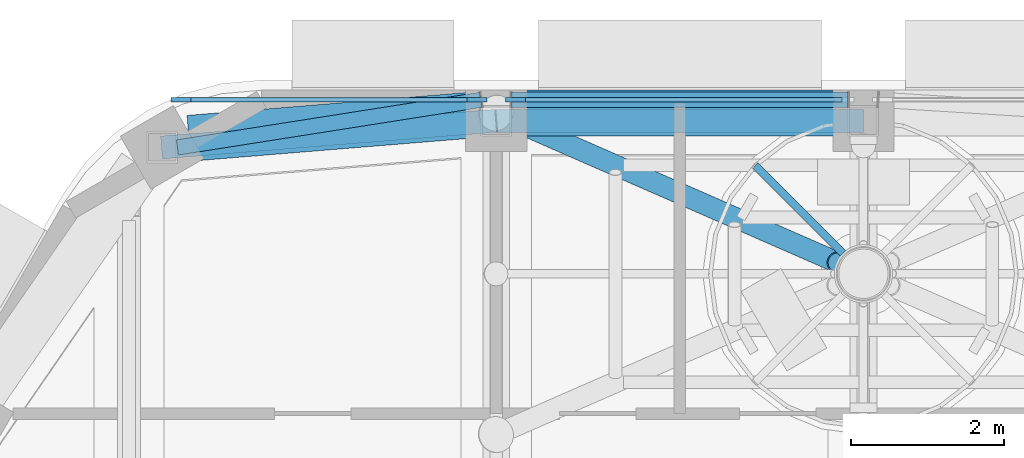
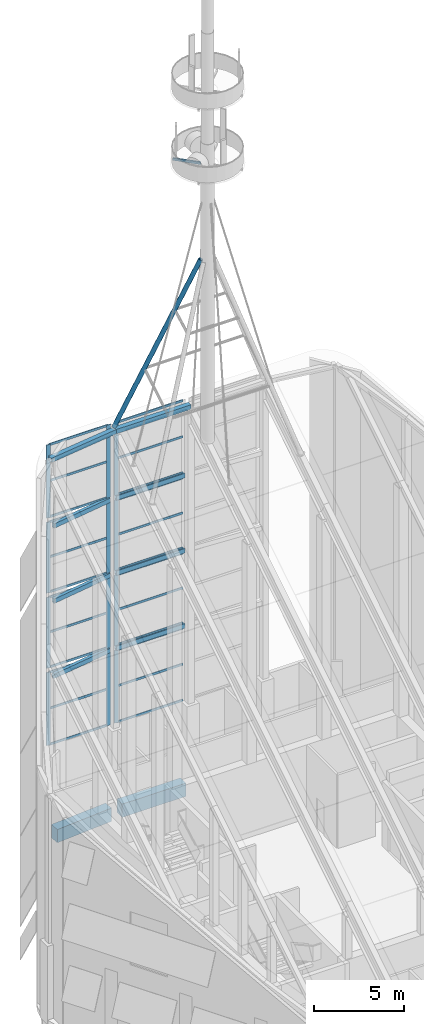
# One storey, part 4 of 25: 40 members, 8 beams, 8 elements without a shape of their own.
"""IFC4 building model written with IfcOpenShell, lengths in metres."""

from ifc_helpers import new_model, si_unit, direction, frame, origin, origin_2d, place, context, subcontext, project, spatial, rectangle, hollow_rectangle, hollow_circle, extrude, material, material_profile, profile_set, type_object, element, aggregate, save


model = new_model("IFC4")

# Units and contexts
model_context = context("Model", 3, precision=1e-05, world=origin(), true_north=direction((0.0, 1.0)))
body_context = subcontext(model_context, "Body", "Model", "MODEL_VIEW")
ifc_project = project(units=[si_unit("LENGTHUNIT", "METRE"), si_unit("AREAUNIT", "SQUARE_METRE"), si_unit("VOLUMEUNIT", "CUBIC_METRE"), si_unit("PLANEANGLEUNIT", "RADIAN"), si_unit("MASSUNIT", "GRAM", prefix="KILO")], contexts=[model_context])

# Site, building, storey
site_placement = place(None, origin())
site = spatial("IfcSite", under=ifc_project, at=site_placement, CompositionType="ELEMENT")
building_placement = place(site_placement, origin())
building = spatial("IfcBuilding", under=site, at=building_placement, Name="Kolab Exchange Tower", CompositionType="ELEMENT")
storey_placement = place(building_placement, frame((0.0, 0.0, 301.89990234375)))
storey = spatial("IfcBuildingStorey", under=building, at=storey_placement, Name="L68", CompositionType="ELEMENT", Elevation=301.89990234375)

# Curtain wall, members
ifc_material_1 = material(Name="Aluminium EN AW-6063 T6", Category="aluminium")
curtain_wall_type = type_object("IfcCurtainWallType", Name="CROWN GLAZING CURTAIN WALL", PredefinedType="NOTDEFINED", material=ifc_material_1)
curtain_wall_1_placement = place(storey_placement, origin())
curtain_wall_1 = element("IfcCurtainWall", 1, at=curtain_wall_1_placement, inside=storey, type_object=curtain_wall_type, Name="cw/L68/crown-F1-1-1", PredefinedType="NOTDEFINED")
ifc_material_profile_1 = material_profile(ifc_material_1, rectangle(XDim=0.06005859375, YDim=0.260009765625, at=origin_2d()), Name="RECT 60X260")
ifc_profile_set_1 = profile_set([ifc_material_profile_1], Name="Aluminium EN AW-6063 T6")
member_type_1 = type_object("IfcMemberType", Name="CROWN GLAZING MULLION 60 X 260", PredefinedType="MULLION", material=ifc_profile_set_1)
member_1_placement = place(storey_placement, frame((-8.91796875, 16.502685546875, 5.0), z_axis=(0.0, 0.0, 1.0), x_axis=(0.0, 1.0, 0.0)))
member_1 = element("IfcMember", 2, at=member_1_placement, type_object=member_type_1, Name="CW7 mullion 1", PredefinedType="MULLION", context=body_context, shape_type="SweptSolid", body=[
    extrude(rectangle(XDim=0.06005859375, YDim=0.260009765625, at=origin_2d()), origin(), (0.0, 0.0, 1.0), 4.951904296875),
])
member_2_placement = place(storey_placement, frame((-5.050048828125, 16.502685546875, 5.0), z_axis=(0.0, 0.0, 1.0), x_axis=(0.0, 1.0, 0.0)))
member_2 = element("IfcMember", 3, at=member_2_placement, type_object=member_type_1, Name="CW7 mullion 2", PredefinedType="MULLION", context=body_context, shape_type="SweptSolid", body=[
    extrude(rectangle(XDim=0.06005859375, YDim=0.260009765625, at=origin_2d()), origin(), (0.0, 0.0, 1.0), 4.951904296875),
])

curtain_wall_2_placement = place(storey_placement, origin())
curtain_wall_2 = element("IfcCurtainWall", 4, at=curtain_wall_2_placement, inside=storey, type_object=curtain_wall_type, Name="cw/L68/crown-F1-1-2", PredefinedType="NOTDEFINED")
member_3_placement = place(storey_placement, frame((-8.91796875, 16.502685546875, 10.251953125), z_axis=(0.0, 0.0, 1.0), x_axis=(0.0, 1.0, 0.0)))
member_3 = element("IfcMember", 5, at=member_3_placement, type_object=member_type_1, Name="CW7 mullion 1", PredefinedType="MULLION", context=body_context, shape_type="SweptSolid", body=[
    extrude(rectangle(XDim=0.06005859375, YDim=0.260009765625, at=origin_2d()), origin(), (0.0, 0.0, 1.0), 4.8017578125),
])
member_4_placement = place(storey_placement, frame((-5.050048828125, 16.502685546875, 10.251953125), z_axis=(0.0, 0.0, 1.0), x_axis=(0.0, 1.0, 0.0)))
member_4 = element("IfcMember", 6, at=member_4_placement, type_object=member_type_1, Name="CW7 mullion 2", PredefinedType="MULLION", context=body_context, shape_type="SweptSolid", body=[
    extrude(rectangle(XDim=0.06005859375, YDim=0.260009765625, at=origin_2d()), origin(), (0.0, 0.0, 1.0), 4.8017578125),
])

curtain_wall_3_placement = place(storey_placement, origin())
curtain_wall_3 = element("IfcCurtainWall", 7, at=curtain_wall_3_placement, inside=storey, type_object=curtain_wall_type, Name="cw/L68/crown-F1-1-3", PredefinedType="NOTDEFINED")
member_5_placement = place(storey_placement, frame((-8.91796875, 16.502685546875, 15.353759765625), z_axis=(0.0, 0.0, 1.0), x_axis=(0.0, 1.0, 0.0)))
member_5 = element("IfcMember", 8, at=member_5_placement, type_object=member_type_1, Name="CW7 mullion 1", PredefinedType="MULLION", context=body_context, shape_type="SweptSolid", body=[
    extrude(rectangle(XDim=0.06005859375, YDim=0.260009765625, at=origin_2d()), origin(), (0.0, 0.0, 1.0), 4.8017578125),
])
member_6_placement = place(storey_placement, frame((-5.050048828125, 16.502685546875, 15.353759765625), z_axis=(0.0, 0.0, 1.0), x_axis=(0.0, 1.0, 0.0)))
member_6 = element("IfcMember", 9, at=member_6_placement, type_object=member_type_1, Name="CW7 mullion 2", PredefinedType="MULLION", context=body_context, shape_type="SweptSolid", body=[
    extrude(rectangle(XDim=0.06005859375, YDim=0.260009765625, at=origin_2d()), origin(), (0.0, 0.0, 1.0), 4.8017578125),
])

curtain_wall_4_placement = place(storey_placement, origin())
curtain_wall_4 = element("IfcCurtainWall", 10, at=curtain_wall_4_placement, inside=storey, type_object=curtain_wall_type, Name="cw/L68/crown-F1-1-4", PredefinedType="NOTDEFINED")
member_7_placement = place(storey_placement, frame((-8.91796875, 16.502685546875, 20.45556640625), z_axis=(0.0, 0.0, 1.0), x_axis=(0.0, 1.0, 0.0)))
member_7 = element("IfcMember", 11, at=member_7_placement, type_object=member_type_1, Name="CW7 mullion 1", PredefinedType="MULLION", context=body_context, shape_type="SweptSolid", body=[
    extrude(rectangle(XDim=0.06005859375, YDim=0.260009765625, at=origin_2d()), origin(), (0.0, 0.0, 1.0), 4.951904296875),
])
member_8_placement = place(storey_placement, frame((-5.050048828125, 16.502685546875, 20.45556640625), z_axis=(0.0, 0.0, 1.0), x_axis=(0.0, 1.0, 0.0)))
member_8 = element("IfcMember", 12, at=member_8_placement, type_object=member_type_1, Name="CW7 mullion 2", PredefinedType="MULLION", context=body_context, shape_type="SweptSolid", body=[
    extrude(rectangle(XDim=0.06005859375, YDim=0.260009765625, at=origin_2d()), origin(), (0.0, 0.0, 1.0), 4.951904296875),
])

# Curtain wall, member
curtain_wall_5_placement = place(storey_placement, origin())
curtain_wall_5 = element("IfcCurtainWall", 13, at=curtain_wall_5_placement, inside=storey, type_object=curtain_wall_type, Name="cw/L68/crown-F1-2-1", PredefinedType="NOTDEFINED")
member_9_placement = place(storey_placement, frame((-4.550048828125, 16.502685546875, 5.0), z_axis=(0.0, 0.0, 1.0), x_axis=(0.0, 1.0, 0.0)))
member_9 = element("IfcMember", 14, at=member_9_placement, type_object=member_type_1, Name="CW7 mullion 1", PredefinedType="MULLION", context=body_context, shape_type="SweptSolid", body=[
    extrude(rectangle(XDim=0.06005859375, YDim=0.260009765625, at=origin_2d()), origin(), (0.0, 0.0, 1.0), 4.951904296875),
])

curtain_wall_6_placement = place(storey_placement, origin())
curtain_wall_6 = element("IfcCurtainWall", 15, at=curtain_wall_6_placement, inside=storey, type_object=curtain_wall_type, Name="cw/L68/crown-F1-2-2", PredefinedType="NOTDEFINED")
member_10_placement = place(storey_placement, frame((-4.550048828125, 16.502685546875, 10.251953125), z_axis=(0.0, 0.0, 1.0), x_axis=(0.0, 1.0, 0.0)))
member_10 = element("IfcMember", 16, at=member_10_placement, type_object=member_type_1, Name="CW7 mullion 1", PredefinedType="MULLION", context=body_context, shape_type="SweptSolid", body=[
    extrude(rectangle(XDim=0.06005859375, YDim=0.260009765625, at=origin_2d()), origin(), (0.0, 0.0, 1.0), 4.8017578125),
])

curtain_wall_7_placement = place(storey_placement, origin())
curtain_wall_7 = element("IfcCurtainWall", 17, at=curtain_wall_7_placement, inside=storey, type_object=curtain_wall_type, Name="cw/L68/crown-F1-2-3", PredefinedType="NOTDEFINED")
member_11_placement = place(storey_placement, frame((-4.550048828125, 16.502685546875, 15.353759765625), z_axis=(0.0, 0.0, 1.0), x_axis=(0.0, 1.0, 0.0)))
member_11 = element("IfcMember", 18, at=member_11_placement, type_object=member_type_1, Name="CW7 mullion 1", PredefinedType="MULLION", context=body_context, shape_type="SweptSolid", body=[
    extrude(rectangle(XDim=0.06005859375, YDim=0.260009765625, at=origin_2d()), origin(), (0.0, 0.0, 1.0), 4.8017578125),
])

curtain_wall_8_placement = place(storey_placement, origin())
curtain_wall_8 = element("IfcCurtainWall", 19, at=curtain_wall_8_placement, inside=storey, type_object=curtain_wall_type, Name="cw/L68/crown-F1-2-4", PredefinedType="NOTDEFINED")
member_12_placement = place(storey_placement, frame((-4.550048828125, 16.502685546875, 20.45556640625), z_axis=(0.0, 0.0, 1.0), x_axis=(0.0, 1.0, 0.0)))
member_12 = element("IfcMember", 20, at=member_12_placement, type_object=member_type_1, Name="CW7 mullion 1", PredefinedType="MULLION", context=body_context, shape_type="SweptSolid", body=[
    extrude(rectangle(XDim=0.06005859375, YDim=0.260009765625, at=origin_2d()), origin(), (0.0, 0.0, 1.0), 4.951904296875),
])

# Member
ifc_material_profile_2 = material_profile(ifc_material_1, rectangle(XDim=0.06005859375, YDim=0.14990234375, at=origin_2d()), Name="RECT 60X150")
ifc_profile_set_2 = profile_set([ifc_material_profile_2], Name="Aluminium EN AW-6063 T6")
member_type_2 = type_object("IfcMemberType", Name="CROWN GLAZING TRANSOM 60 X 150", PredefinedType="USERDEFINED", material=ifc_profile_set_2)
member_13_placement = place(storey_placement, frame((-8.887939453125, 16.502685546875, 5.030029296875), z_axis=(1.0, 0.0, 0.0), x_axis=(0.0, 1.0, 0.0)))
member_13 = element("IfcMember", 21, at=member_13_placement, type_object=member_type_2, Name="CW7 transom 1.1", ObjectType="TRANSOM", PredefinedType="USERDEFINED", context=body_context, shape_type="SweptSolid", body=[
    extrude(rectangle(XDim=0.06005859375, YDim=0.14990234375, at=origin_2d()), origin(), (0.0, 0.0, 1.0), 3.807861328125),
])

member_14_placement = place(storey_placement, frame((-8.887939453125, 16.502685546875, 7.47607421875), z_axis=(1.0, 0.0, 0.0), x_axis=(0.0, 1.0, 0.0)))
member_14 = element("IfcMember", 22, at=member_14_placement, type_object=member_type_2, Name="CW7 transom 1.2", ObjectType="TRANSOM", PredefinedType="USERDEFINED", context=body_context, shape_type="SweptSolid", body=[
    extrude(rectangle(XDim=0.06005859375, YDim=0.14990234375, at=origin_2d()), origin(), (0.0, 0.0, 1.0), 3.807861328125),
])

member_15_placement = place(storey_placement, frame((-8.887939453125, 16.502685546875, 9.921875), z_axis=(1.0, 0.0, 0.0), x_axis=(0.0, 1.0, 0.0)))
member_15 = element("IfcMember", 23, at=member_15_placement, type_object=member_type_2, Name="CW7 transom 1.3", ObjectType="TRANSOM", PredefinedType="USERDEFINED", context=body_context, shape_type="SweptSolid", body=[
    extrude(rectangle(XDim=0.06005859375, YDim=0.14990234375, at=origin_2d()), origin(), (0.0, 0.0, 1.0), 3.807861328125),
])

aggregate(curtain_wall_1, [member_1, member_2, member_13, member_14, member_15])

member_16_placement = place(storey_placement, frame((-8.887939453125, 16.502685546875, 10.281982421875), z_axis=(1.0, 0.0, 0.0), x_axis=(0.0, 1.0, 0.0)))
member_16 = element("IfcMember", 24, at=member_16_placement, type_object=member_type_2, Name="CW7 transom 1.1", ObjectType="TRANSOM", PredefinedType="USERDEFINED", context=body_context, shape_type="SweptSolid", body=[
    extrude(rectangle(XDim=0.06005859375, YDim=0.14990234375, at=origin_2d()), origin(), (0.0, 0.0, 1.0), 3.807861328125),
])

member_17_placement = place(storey_placement, frame((-8.887939453125, 16.502685546875, 12.65283203125), z_axis=(1.0, 0.0, 0.0), x_axis=(0.0, 1.0, 0.0)))
member_17 = element("IfcMember", 25, at=member_17_placement, type_object=member_type_2, Name="CW7 transom 1.2", ObjectType="TRANSOM", PredefinedType="USERDEFINED", context=body_context, shape_type="SweptSolid", body=[
    extrude(rectangle(XDim=0.06005859375, YDim=0.14990234375, at=origin_2d()), origin(), (0.0, 0.0, 1.0), 3.807861328125),
])

member_18_placement = place(storey_placement, frame((-8.887939453125, 16.502685546875, 15.023681640625), z_axis=(1.0, 0.0, 0.0), x_axis=(0.0, 1.0, 0.0)))
member_18 = element("IfcMember", 26, at=member_18_placement, type_object=member_type_2, Name="CW7 transom 1.3", ObjectType="TRANSOM", PredefinedType="USERDEFINED", context=body_context, shape_type="SweptSolid", body=[
    extrude(rectangle(XDim=0.06005859375, YDim=0.14990234375, at=origin_2d()), origin(), (0.0, 0.0, 1.0), 3.807861328125),
])

aggregate(curtain_wall_2, [member_3, member_4, member_16, member_17, member_18])

member_19_placement = place(storey_placement, frame((-8.887939453125, 16.502685546875, 15.3837890625), z_axis=(1.0, 0.0, 0.0), x_axis=(0.0, 1.0, 0.0)))
member_19 = element("IfcMember", 27, at=member_19_placement, type_object=member_type_2, Name="CW7 transom 1.1", ObjectType="TRANSOM", PredefinedType="USERDEFINED", context=body_context, shape_type="SweptSolid", body=[
    extrude(rectangle(XDim=0.06005859375, YDim=0.14990234375, at=origin_2d()), origin(), (0.0, 0.0, 1.0), 3.807861328125),
])

member_20_placement = place(storey_placement, frame((-8.887939453125, 16.502685546875, 17.754638671875), z_axis=(1.0, 0.0, 0.0), x_axis=(0.0, 1.0, 0.0)))
member_20 = element("IfcMember", 28, at=member_20_placement, type_object=member_type_2, Name="CW7 transom 1.2", ObjectType="TRANSOM", PredefinedType="USERDEFINED", context=body_context, shape_type="SweptSolid", body=[
    extrude(rectangle(XDim=0.06005859375, YDim=0.14990234375, at=origin_2d()), origin(), (0.0, 0.0, 1.0), 3.807861328125),
])

member_21_placement = place(storey_placement, frame((-8.887939453125, 16.502685546875, 20.125732421875), z_axis=(1.0, 0.0, 0.0), x_axis=(0.0, 1.0, 0.0)))
member_21 = element("IfcMember", 29, at=member_21_placement, type_object=member_type_2, Name="CW7 transom 1.3", ObjectType="TRANSOM", PredefinedType="USERDEFINED", context=body_context, shape_type="SweptSolid", body=[
    extrude(rectangle(XDim=0.06005859375, YDim=0.14990234375, at=origin_2d()), origin(), (0.0, 0.0, 1.0), 3.807861328125),
])

aggregate(curtain_wall_3, [member_5, member_6, member_19, member_20, member_21])

member_22_placement = place(storey_placement, frame((-8.887939453125, 16.502685546875, 20.485595703125), z_axis=(1.0, 0.0, 0.0), x_axis=(0.0, 1.0, 0.0)))
member_22 = element("IfcMember", 30, at=member_22_placement, type_object=member_type_2, Name="CW7 transom 1.1", ObjectType="TRANSOM", PredefinedType="USERDEFINED", context=body_context, shape_type="SweptSolid", body=[
    extrude(rectangle(XDim=0.06005859375, YDim=0.14990234375, at=origin_2d()), origin(), (0.0, 0.0, 1.0), 3.807861328125),
])

member_23_placement = place(storey_placement, frame((-8.887939453125, 16.502685546875, 22.931640625), z_axis=(1.0, 0.0, 0.0), x_axis=(0.0, 1.0, 0.0)))
member_23 = element("IfcMember", 31, at=member_23_placement, type_object=member_type_2, Name="CW7 transom 1.2", ObjectType="TRANSOM", PredefinedType="USERDEFINED", context=body_context, shape_type="SweptSolid", body=[
    extrude(rectangle(XDim=0.06005859375, YDim=0.14990234375, at=origin_2d()), origin(), (0.0, 0.0, 1.0), 3.807861328125),
])

member_24_placement = place(storey_placement, frame((-8.887939453125, 16.502685546875, 25.37744140625), z_axis=(1.0, 0.0, 0.0), x_axis=(0.0, 1.0, 0.0)))
member_24 = element("IfcMember", 32, at=member_24_placement, type_object=member_type_2, Name="CW7 transom 1.3", ObjectType="TRANSOM", PredefinedType="USERDEFINED", context=body_context, shape_type="SweptSolid", body=[
    extrude(rectangle(XDim=0.06005859375, YDim=0.14990234375, at=origin_2d()), origin(), (0.0, 0.0, 1.0), 3.807861328125),
])

aggregate(curtain_wall_4, [member_7, member_8, member_22, member_23, member_24])

member_25_placement = place(storey_placement, frame((-4.52001953125, 16.502685546875, 5.030029296875), z_axis=(1.0, 0.0, 0.0), x_axis=(0.0, 1.0, 0.0)))
member_25 = element("IfcMember", 33, at=member_25_placement, type_object=member_type_2, Name="CW7 transom 1.1", ObjectType="TRANSOM", PredefinedType="USERDEFINED", context=body_context, shape_type="SweptSolid", body=[
    extrude(rectangle(XDim=0.06005859375, YDim=0.14990234375, at=origin_2d()), origin(), (0.0, 0.0, 1.0), 4.239990234375),
])

member_26_placement = place(storey_placement, frame((-4.52001953125, 16.502685546875, 7.47607421875), z_axis=(1.0, 0.0, 0.0), x_axis=(0.0, 1.0, 0.0)))
member_26 = element("IfcMember", 34, at=member_26_placement, type_object=member_type_2, Name="CW7 transom 1.2", ObjectType="TRANSOM", PredefinedType="USERDEFINED", context=body_context, shape_type="SweptSolid", body=[
    extrude(rectangle(XDim=0.06005859375, YDim=0.14990234375, at=origin_2d()), origin(), (0.0, 0.0, 1.0), 4.239990234375),
])

member_27_placement = place(storey_placement, frame((-4.52001953125, 16.502685546875, 9.921875), z_axis=(1.0, 0.0, 0.0), x_axis=(0.0, 1.0, 0.0)))
member_27 = element("IfcMember", 35, at=member_27_placement, type_object=member_type_2, Name="CW7 transom 1.3", ObjectType="TRANSOM", PredefinedType="USERDEFINED", context=body_context, shape_type="SweptSolid", body=[
    extrude(rectangle(XDim=0.06005859375, YDim=0.14990234375, at=origin_2d()), origin(), (0.0, 0.0, 1.0), 4.239990234375),
])

aggregate(curtain_wall_5, [member_9, member_25, member_26, member_27])

member_28_placement = place(storey_placement, frame((-4.52001953125, 16.502685546875, 10.281982421875), z_axis=(1.0, 0.0, 0.0), x_axis=(0.0, 1.0, 0.0)))
member_28 = element("IfcMember", 36, at=member_28_placement, type_object=member_type_2, Name="CW7 transom 1.1", ObjectType="TRANSOM", PredefinedType="USERDEFINED", context=body_context, shape_type="SweptSolid", body=[
    extrude(rectangle(XDim=0.06005859375, YDim=0.14990234375, at=origin_2d()), origin(), (0.0, 0.0, 1.0), 4.239990234375),
])

member_29_placement = place(storey_placement, frame((-4.52001953125, 16.502685546875, 12.65283203125), z_axis=(1.0, 0.0, 0.0), x_axis=(0.0, 1.0, 0.0)))
member_29 = element("IfcMember", 37, at=member_29_placement, type_object=member_type_2, Name="CW7 transom 1.2", ObjectType="TRANSOM", PredefinedType="USERDEFINED", context=body_context, shape_type="SweptSolid", body=[
    extrude(rectangle(XDim=0.06005859375, YDim=0.14990234375, at=origin_2d()), origin(), (0.0, 0.0, 1.0), 4.239990234375),
])

member_30_placement = place(storey_placement, frame((-4.52001953125, 16.502685546875, 15.023681640625), z_axis=(1.0, 0.0, 0.0), x_axis=(0.0, 1.0, 0.0)))
member_30 = element("IfcMember", 38, at=member_30_placement, type_object=member_type_2, Name="CW7 transom 1.3", ObjectType="TRANSOM", PredefinedType="USERDEFINED", context=body_context, shape_type="SweptSolid", body=[
    extrude(rectangle(XDim=0.06005859375, YDim=0.14990234375, at=origin_2d()), origin(), (0.0, 0.0, 1.0), 4.239990234375),
])

aggregate(curtain_wall_6, [member_10, member_28, member_29, member_30])

member_31_placement = place(storey_placement, frame((-4.52001953125, 16.502685546875, 15.3837890625), z_axis=(1.0, 0.0, 0.0), x_axis=(0.0, 1.0, 0.0)))
member_31 = element("IfcMember", 39, at=member_31_placement, type_object=member_type_2, Name="CW7 transom 1.1", ObjectType="TRANSOM", PredefinedType="USERDEFINED", context=body_context, shape_type="SweptSolid", body=[
    extrude(rectangle(XDim=0.06005859375, YDim=0.14990234375, at=origin_2d()), origin(), (0.0, 0.0, 1.0), 4.239990234375),
])

member_32_placement = place(storey_placement, frame((-4.52001953125, 16.502685546875, 17.754638671875), z_axis=(1.0, 0.0, 0.0), x_axis=(0.0, 1.0, 0.0)))
member_32 = element("IfcMember", 40, at=member_32_placement, type_object=member_type_2, Name="CW7 transom 1.2", ObjectType="TRANSOM", PredefinedType="USERDEFINED", context=body_context, shape_type="SweptSolid", body=[
    extrude(rectangle(XDim=0.06005859375, YDim=0.14990234375, at=origin_2d()), origin(), (0.0, 0.0, 1.0), 4.239990234375),
])

member_33_placement = place(storey_placement, frame((-4.52001953125, 16.502685546875, 20.125732421875), z_axis=(1.0, 0.0, 0.0), x_axis=(0.0, 1.0, 0.0)))
member_33 = element("IfcMember", 41, at=member_33_placement, type_object=member_type_2, Name="CW7 transom 1.3", ObjectType="TRANSOM", PredefinedType="USERDEFINED", context=body_context, shape_type="SweptSolid", body=[
    extrude(rectangle(XDim=0.06005859375, YDim=0.14990234375, at=origin_2d()), origin(), (0.0, 0.0, 1.0), 4.239990234375),
])

aggregate(curtain_wall_7, [member_11, member_31, member_32, member_33])

member_34_placement = place(storey_placement, frame((-4.52001953125, 16.502685546875, 20.485595703125), z_axis=(1.0, 0.0, 0.0), x_axis=(0.0, 1.0, 0.0)))
member_34 = element("IfcMember", 42, at=member_34_placement, type_object=member_type_2, Name="CW7 transom 1.1", ObjectType="TRANSOM", PredefinedType="USERDEFINED", context=body_context, shape_type="SweptSolid", body=[
    extrude(rectangle(XDim=0.06005859375, YDim=0.14990234375, at=origin_2d()), origin(), (0.0, 0.0, 1.0), 4.239990234375),
])

member_35_placement = place(storey_placement, frame((-4.52001953125, 16.502685546875, 22.931640625), z_axis=(1.0, 0.0, 0.0), x_axis=(0.0, 1.0, 0.0)))
member_35 = element("IfcMember", 43, at=member_35_placement, type_object=member_type_2, Name="CW7 transom 1.2", ObjectType="TRANSOM", PredefinedType="USERDEFINED", context=body_context, shape_type="SweptSolid", body=[
    extrude(rectangle(XDim=0.06005859375, YDim=0.14990234375, at=origin_2d()), origin(), (0.0, 0.0, 1.0), 4.239990234375),
])

member_36_placement = place(storey_placement, frame((-4.52001953125, 16.502685546875, 25.37744140625), z_axis=(1.0, 0.0, 0.0), x_axis=(0.0, 1.0, 0.0)))
member_36 = element("IfcMember", 44, at=member_36_placement, type_object=member_type_2, Name="CW7 transom 1.3", ObjectType="TRANSOM", PredefinedType="USERDEFINED", context=body_context, shape_type="SweptSolid", body=[
    extrude(rectangle(XDim=0.06005859375, YDim=0.14990234375, at=origin_2d()), origin(), (0.0, 0.0, 1.0), 4.239990234375),
])

aggregate(curtain_wall_8, [member_12, member_34, member_35, member_36])

# Members
ifc_material_2 = material(Name="Steel S355", Category="steel")
ifc_material_profile_3 = material_profile(ifc_material_2, hollow_rectangle(XDim=0.300048828125, YDim=0.300048828125, WallThickness=0.01611328125, at=origin_2d()), Name="HSS300X300X16")
ifc_profile_set_3 = profile_set([ifc_material_profile_3], Name="Steel S355")
member_type_3 = type_object("IfcMemberType", Name="CROWN RING HSS300X300X16", PredefinedType="CHORD", material=ifc_profile_set_3)
member_37_placement = place(storey_placement, frame((-9.16796875, 15.87939453125, 24.867919921875), z_axis=(0.995605365729, 0.079410254144, 0.049638364889), x_axis=(-0.079508267441, 0.99683420658, 0.0)))
element("IfcMember", 45, at=member_37_placement, inside=storey, type_object=member_type_3, Name="mem/L68/crown/ring-F1-01", PredefinedType="CHORD", context=body_context, shape_type="SweptSolid", body=[
    extrude(hollow_rectangle(XDim=0.300048828125, YDim=0.300048828125, WallThickness=0.01611328125, at=origin_2d()), origin(), (0.0, 0.0, 1.0), 4.38720703125),
])
member_38_placement = place(storey_placement, frame((-4.800048828125, 16.227783203125, 25.085693359375), z_axis=(1.0, 0.0, 0.0), x_axis=(0.0, 1.0, 0.0)))
element("IfcMember", 46, at=member_38_placement, inside=storey, type_object=member_type_3, Name="mem/L68/crown/ring-F1-02", PredefinedType="CHORD", context=body_context, shape_type="SweptSolid", body=[
    extrude(hollow_rectangle(XDim=0.300048828125, YDim=0.300048828125, WallThickness=0.01611328125, at=origin_2d()), origin(), (0.0, 0.0, 1.0), 4.800048828125),
])

# Beams
ifc_material_profile_4 = material_profile(ifc_material_2, hollow_rectangle(XDim=0.199951171875, YDim=0.300048828125, WallThickness=0.011962890625, at=origin_2d()), Name="RHS300X200X12")
ifc_profile_set_4 = profile_set([ifc_material_profile_4], Name="Steel S355")
beam_type_1 = type_object("IfcBeamType", Name="CROWN WIND GIRDER RHS 300 X 200 X 12", PredefinedType="BEAM", material=ifc_profile_set_4)
for number, where, z_axis, x_axis, name in (
    (47, (-8.968017578125, 15.87939453125, 10.10205078125), (0.9878868442, 0.155175974481, 0.0), (-0.155175974481, 0.9878868442, 0.0), "Crown wind girder"),
    (48, (-8.968017578125, 15.87939453125, 15.203857421875), (0.9878868442, 0.155175974481, 0.0), (-0.155175974481, 0.9878868442, 0.0), "Crown wind girder"),
    (49, (-8.968017578125, 15.87939453125, 20.3056640625), (0.9878868442, 0.155175974481, 0.0), (-0.155175974481, 0.9878868442, 0.0), "Crown wind girder"),
):
    element("IfcBeam", number, at=place(storey_placement, frame(where, z_axis=z_axis, x_axis=x_axis)), inside=storey, type_object=beam_type_1, Name=name, PredefinedType="BEAM", context=body_context, shape_type="SweptSolid", body=[
        extrude(hollow_rectangle(XDim=0.199951171875, YDim=0.300048828125, WallThickness=0.011962890625, at=origin_2d()), origin(), (0.0, 0.0, 1.0), 4.0166015625),
    ])
for number, where, z_axis, x_axis, name in (
    (50, (-4.60009765625, 16.502685546875, 10.10205078125), (1.0, 0.0, 0.0), (0.0, 1.0, 0.0), "Crown wind girder"),
    (51, (-4.60009765625, 16.502685546875, 15.203857421875), (1.0, 0.0, 0.0), (0.0, 1.0, 0.0), "Crown wind girder"),
    (52, (-4.60009765625, 16.502685546875, 20.3056640625), (1.0, 0.0, 0.0), (0.0, 1.0, 0.0), "Crown wind girder"),
):
    element("IfcBeam", number, at=place(storey_placement, frame(where, z_axis=z_axis, x_axis=x_axis)), inside=storey, type_object=beam_type_1, Name=name, PredefinedType="BEAM", context=body_context, shape_type="SweptSolid", body=[
        extrude(hollow_rectangle(XDim=0.199951171875, YDim=0.300048828125, WallThickness=0.011962890625, at=origin_2d()), origin(), (0.0, 0.0, 1.0), 4.400146484375),
    ])

# Members
ifc_material_profile_5 = material_profile(ifc_material_2, hollow_circle(Radius=0.136474609375, WallThickness=0.01611328125, at=origin_2d()), Name="CHS 273X16")
ifc_profile_set_5 = profile_set([ifc_material_profile_5], Name="Steel S355")
member_type_4 = type_object("IfcMemberType", Name="MAST LEG CHS 273 X 16", PredefinedType="BRACE", material=ifc_profile_set_5)
member_39_placement = place(storey_placement, frame((-4.800048828125, 16.32763671875, 25.26806640625), z_axis=(0.369779846802, -0.161777415287, 0.914926736303), x_axis=(0.400816197806, 0.916158488241, 0.0)))
element("IfcMember", 53, at=member_39_placement, inside=storey, type_object=member_type_4, Name="Mast quadripod leg", PredefinedType="BRACE", context=body_context, shape_type="SweptSolid", body=[
    extrude(hollow_circle(Radius=0.136474609375, WallThickness=0.01611328125, at=origin_2d()), origin(), (0.0, 0.0, 1.0), 12.03662109375),
])
ifc_material_profile_6 = material_profile(ifc_material_2, hollow_rectangle(XDim=0.10009765625, YDim=0.14990234375, WallThickness=0.008056640625, at=origin_2d()), Name="RHS150X100X8")
ifc_profile_set_6 = profile_set([ifc_material_profile_6], Name="Steel S355")
member_type_5 = type_object("IfcMemberType", Name="MAST PLATFORM ARM RHS 150 X 100 X 8", PredefinedType="MEMBER", material=ifc_profile_set_6)
member_40_placement = place(storey_placement, frame((-0.267333984375, 14.4951171875, 42.706298828125), z_axis=(-0.70718204134, 0.707031513022, 0.0), x_axis=(-0.707031513022, -0.70718204134, 0.0)))
element("IfcMember", 54, at=member_40_placement, inside=storey, type_object=member_type_5, Name="Mast platform arm", PredefinedType="MEMBER", context=body_context, shape_type="SweptSolid", body=[
    extrude(hollow_rectangle(XDim=0.10009765625, YDim=0.14990234375, WallThickness=0.008056640625, at=origin_2d()), origin(), (0.0, 0.0, 1.0), 1.621826171875),
])

# Beams
ifc_material_3 = material(Name="Concrete C50/60", Category="concrete")
ifc_material_profile_7 = material_profile(ifc_material_3, rectangle(XDim=0.60009765625, YDim=0.89990234375, at=origin_2d()), Name="RC600X900")
ifc_profile_set_7 = profile_set([ifc_material_profile_7], Name="Concrete C50/60")
beam_type_2 = type_object("IfcBeamType", Name="SPANDREL BEAM 600X900 C50/60", PredefinedType="BEAM", material=ifc_profile_set_7)
beam_1_placement = place(storey_placement, frame((-8.81689453125, 15.998779296875, -0.75), z_axis=(0.996666751878, 0.081580547323, 0.0), x_axis=(-0.081580547323, 0.996666751878, 0.0)))
element("IfcBeam", 55, at=beam_1_placement, inside=storey, type_object=beam_type_2, Name="beam/L68/sp/F1-01", PredefinedType="BEAM", context=body_context, shape_type="SweptSolid", body=[
    extrude(rectangle(XDim=0.60009765625, YDim=0.89990234375, at=origin_2d()), origin(), (0.0, 0.0, 1.0), 3.6689453125),
])
beam_2_placement = place(storey_placement, frame((-4.43994140625, 16.32763671875, -0.75), z_axis=(1.0, 0.0, 0.0), x_axis=(0.0, 1.0, 0.0)))
element("IfcBeam", 56, at=beam_2_placement, inside=storey, type_object=beam_type_2, Name="beam/L68/sp/F1-02", PredefinedType="BEAM", context=body_context, shape_type="SweptSolid", body=[
    extrude(rectangle(XDim=0.60009765625, YDim=0.89990234375, at=origin_2d()), origin(), (0.0, 0.0, 1.0), 4.079833984375),
])

save(model, "model.ifc")
